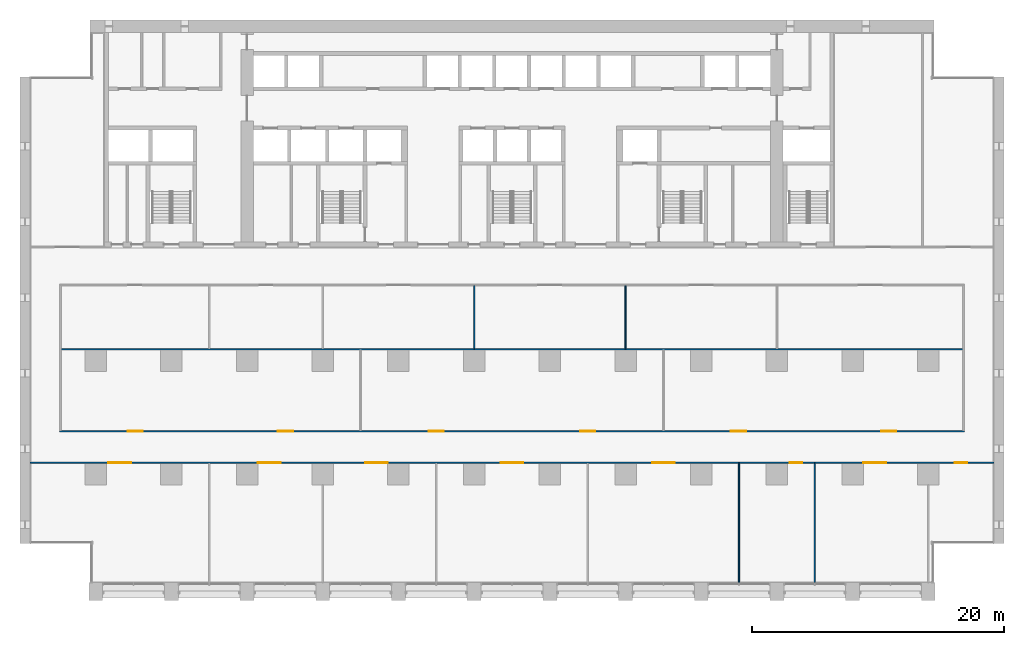
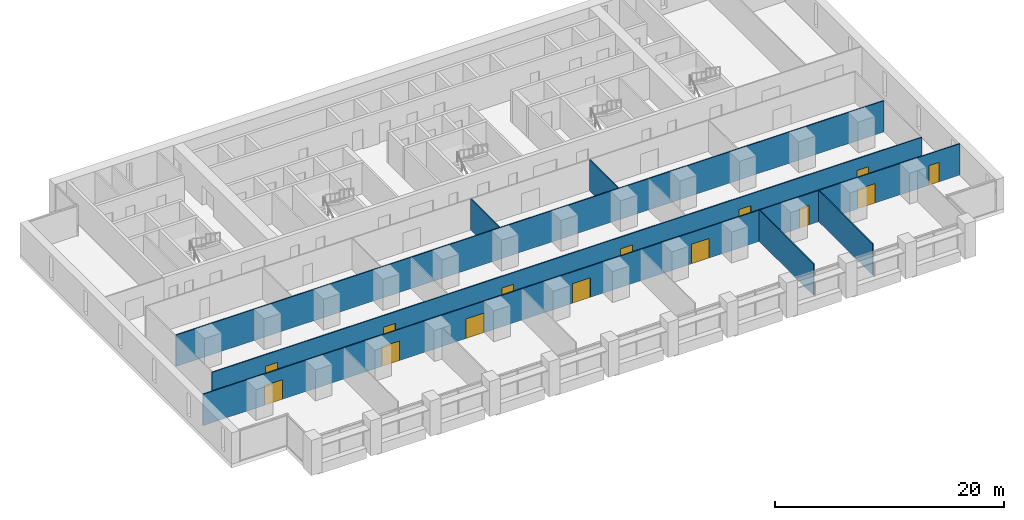
# One storey, part 9 of 18: 14 doors, 7 walls, 14 openings.
"""IFC4 building model written with IfcOpenShell, lengths in metres."""

from ifc_helpers import new_model, si_unit, direction, frame, frame_2d, origin, place, context, subcontext, project, spatial, rectangle, extrude, material, layer, layer_set, type_object, element, fill, save


model = new_model("IFC4")

# Units and contexts
model_context = context("Model", 3, precision=1e-05, world=origin(), true_north=direction((0.0, 1.0)))
body_context = subcontext(model_context, "Body", "Model", "MODEL_VIEW")
ifc_project = project(units=[si_unit("LENGTHUNIT", "METRE"), si_unit("AREAUNIT", "SQUARE_METRE"), si_unit("VOLUMEUNIT", "CUBIC_METRE"), si_unit("PLANEANGLEUNIT", "RADIAN"), si_unit("MASSUNIT", "GRAM", prefix="KILO")], contexts=[model_context])

# Site, building, storey
site_placement = place(None, origin())
site = spatial("IfcSite", under=ifc_project, at=site_placement, CompositionType="ELEMENT")
building_placement = place(site_placement, origin())
building = spatial("IfcBuilding", under=site, at=building_placement, Name="Calvaro Tower", CompositionType="ELEMENT")
storey_placement = place(building_placement, frame((0.0, 0.0, 48.75)))
storey = spatial("IfcBuildingStorey", under=building, at=storey_placement, Name="L11", CompositionType="ELEMENT", Elevation=48.75)

# Wall, openings, doors
ifc_material_1 = material(Name="Plasterboard on steel studs", Category="steel")
ifc_layer = layer(ifc_material_1, 0.10009765625)
ifc_layer_set = layer_set([ifc_layer], Name="Plasterboard on steel studs")
wall_type = type_object("IfcWallType", Name="Partition 100", PredefinedType="PARTITIONING", material=ifc_layer_set)
wall_1_placement = place(storey_placement, frame((0.800048828125, 10.89990234375, 0.0), z_axis=(0.0, 0.0, 1.0), x_axis=(1.0, 0.0, 0.0)))
wall_1 = element("IfcWall", 1, at=wall_1_placement, inside=storey, type_object=wall_type, Name="Partition T10.W001", PredefinedType="PARTITIONING", context=body_context, shape_type="SweptSolid", body=[
    extrude(rectangle(XDim=76.39990234375, YDim=0.10009765625, at=frame_2d((38.199951171875, 0.0))), origin(), (0.0, 0.0, 1.0), 3.35009765625),
])
opening_1_placement = place(wall_1_placement, frame((18.050048828125, 0.0, 0.0)))
opening_1 = element("IfcOpeningElement", 2, at=opening_1_placement, cuts=wall_1, Name="Opening T10.001", PredefinedType="OPENING", context=body_context, shape_type="SweptSolid", body=[
    extrude(rectangle(XDim=1.800048828125, YDim=2.10009765625, at=frame_2d((0.89990234375, 1.050048828125))), frame((0.0, 0.06005859375, 0.0), z_axis=(0.0, -1.0, 0.0), x_axis=(1.0, 0.0, 0.0)), (0.0, 0.0, 1.0), 0.1201171875),
])
opening_2_placement = place(wall_1_placement, frame((26.550048828125, 0.0, 0.0)))
opening_2 = element("IfcOpeningElement", 3, at=opening_2_placement, cuts=wall_1, Name="Opening T10.002", PredefinedType="OPENING", context=body_context, shape_type="SweptSolid", body=[
    extrude(rectangle(XDim=1.800048828125, YDim=2.10009765625, at=frame_2d((0.89990234375, 1.050048828125))), frame((0.0, 0.06005859375, 0.0), z_axis=(0.0, -1.0, 0.0), x_axis=(1.0, 0.0, 0.0)), (0.0, 0.0, 1.0), 0.1201171875),
])
opening_3_placement = place(wall_1_placement, frame((66.050048828125, 0.0, 0.0)))
opening_3 = element("IfcOpeningElement", 4, at=opening_3_placement, cuts=wall_1, Name="Opening T10.003", PredefinedType="OPENING", context=body_context, shape_type="SweptSolid", body=[
    extrude(rectangle(XDim=1.800048828125, YDim=2.10009765625, at=frame_2d((0.89990234375, 1.050048828125))), frame((0.0, 0.06005859375, 0.0), z_axis=(0.0, -1.0, 0.0), x_axis=(1.0, 0.0, 0.0)), (0.0, 0.0, 1.0), 0.1201171875),
])
opening_4_placement = place(wall_1_placement, frame((37.300048828125, 0.0, 0.0)))
opening_4 = element("IfcOpeningElement", 5, at=opening_4_placement, cuts=wall_1, Name="Opening T10.004", PredefinedType="OPENING", context=body_context, shape_type="SweptSolid", body=[
    extrude(rectangle(XDim=1.800048828125, YDim=2.10009765625, at=frame_2d((0.89990234375, 1.050048828125))), frame((0.0, 0.06005859375, 0.0), z_axis=(0.0, -1.0, 0.0), x_axis=(1.0, 0.0, 0.0)), (0.0, 0.0, 1.0), 0.1201171875),
])
opening_5_placement = place(wall_1_placement, frame((49.300048828125, 0.0, 0.0)))
opening_5 = element("IfcOpeningElement", 6, at=opening_5_placement, cuts=wall_1, Name="Opening T10.005", PredefinedType="OPENING", context=body_context, shape_type="SweptSolid", body=[
    extrude(rectangle(XDim=1.800048828125, YDim=2.10009765625, at=frame_2d((0.89990234375, 1.050048828125))), frame((0.0, 0.06005859375, 0.0), z_axis=(0.0, -1.0, 0.0), x_axis=(1.0, 0.0, 0.0)), (0.0, 0.0, 1.0), 0.1201171875),
])
opening_6_placement = place(wall_1_placement, frame((60.199951171875, 0.0, 0.0)))
opening_6 = element("IfcOpeningElement", 7, at=opening_6_placement, cuts=wall_1, Name="Opening T10.006", PredefinedType="OPENING", context=body_context, shape_type="SweptSolid", body=[
    extrude(rectangle(XDim=1.0, YDim=2.10009765625, at=frame_2d((0.5, 1.050048828125))), frame((0.0, 0.06005859375, 0.0), z_axis=(0.0, -1.0, 0.0), x_axis=(1.0, 0.0, 0.0)), (0.0, 0.0, 1.0), 0.1201171875),
])
opening_7_placement = place(wall_1_placement, frame((6.199951171875, 0.0, 0.0)))
opening_7 = element("IfcOpeningElement", 8, at=opening_7_placement, cuts=wall_1, Name="Opening T10.007", PredefinedType="OPENING", context=body_context, shape_type="SweptSolid", body=[
    extrude(rectangle(XDim=1.800048828125, YDim=2.10009765625, at=frame_2d((0.89990234375, 1.050048828125))), frame((0.0, 0.06005859375, 0.0), z_axis=(0.0, -1.0, 0.0), x_axis=(1.0, 0.0, 0.0)), (0.0, 0.0, 1.0), 0.1201171875),
])
opening_8_placement = place(wall_1_placement, frame((73.300048828125, 0.0, 0.0)))
opening_8 = element("IfcOpeningElement", 9, at=opening_8_placement, cuts=wall_1, Name="Opening T10.008", PredefinedType="OPENING", context=body_context, shape_type="SweptSolid", body=[
    extrude(rectangle(XDim=1.0, YDim=2.10009765625, at=frame_2d((0.5, 1.050048828125))), frame((0.0, 0.06005859375, 0.0), z_axis=(0.0, -1.0, 0.0), x_axis=(1.0, 0.0, 0.0)), (0.0, 0.0, 1.0), 0.1201171875),
])
ifc_material_2 = material(Name="Timber", Category="wood")
door_type_1 = type_object("IfcDoorType", Name="Internal double door 1800 x 2100", OperationType="DOUBLE_DOOR_SINGLE_SWING", PredefinedType="DOOR", material=ifc_material_2)
door_1_placement = place(opening_1_placement, origin())
door_1 = element("IfcDoor", 10, at=door_1_placement, inside=storey, type_object=door_type_1, Name="Door T10.001", OperationType="DOUBLE_DOOR_SINGLE_SWING", OverallHeight=2.10009765625, OverallWidth=1.800048828125, PredefinedType="DOOR", context=body_context, shape_type="SweptSolid", body=[
    extrude(rectangle(XDim=1.800048828125, YDim=2.10009765625, at=frame_2d((0.89990234375, 1.050048828125))), frame((0.0, 0.02490234375, 0.0), z_axis=(0.0, -1.0, 0.0), x_axis=(1.0, 0.0, 0.0)), (0.0, 0.0, 1.0), 0.050048828125),
])
fill(opening_1, door_1)
door_2_placement = place(opening_2_placement, origin())
door_2 = element("IfcDoor", 11, at=door_2_placement, inside=storey, type_object=door_type_1, Name="Door T10.002", OperationType="DOUBLE_DOOR_SINGLE_SWING", OverallHeight=2.10009765625, OverallWidth=1.800048828125, PredefinedType="DOOR", context=body_context, shape_type="SweptSolid", body=[
    extrude(rectangle(XDim=1.800048828125, YDim=2.10009765625, at=frame_2d((0.89990234375, 1.050048828125))), frame((0.0, 0.02490234375, 0.0), z_axis=(0.0, -1.0, 0.0), x_axis=(1.0, 0.0, 0.0)), (0.0, 0.0, 1.0), 0.050048828125),
])
fill(opening_2, door_2)
door_3_placement = place(opening_3_placement, origin())
door_3 = element("IfcDoor", 12, at=door_3_placement, inside=storey, type_object=door_type_1, Name="Door T10.003", OperationType="DOUBLE_DOOR_SINGLE_SWING", OverallHeight=2.10009765625, OverallWidth=1.800048828125, PredefinedType="DOOR", context=body_context, shape_type="SweptSolid", body=[
    extrude(rectangle(XDim=1.800048828125, YDim=2.10009765625, at=frame_2d((0.89990234375, 1.050048828125))), frame((0.0, 0.02490234375, 0.0), z_axis=(0.0, -1.0, 0.0), x_axis=(1.0, 0.0, 0.0)), (0.0, 0.0, 1.0), 0.050048828125),
])
fill(opening_3, door_3)
door_4_placement = place(opening_4_placement, origin())
door_4 = element("IfcDoor", 13, at=door_4_placement, inside=storey, type_object=door_type_1, Name="Door T10.004", OperationType="DOUBLE_DOOR_SINGLE_SWING", OverallHeight=2.10009765625, OverallWidth=1.800048828125, PredefinedType="DOOR", context=body_context, shape_type="SweptSolid", body=[
    extrude(rectangle(XDim=1.800048828125, YDim=2.10009765625, at=frame_2d((0.89990234375, 1.050048828125))), frame((0.0, 0.02490234375, 0.0), z_axis=(0.0, -1.0, 0.0), x_axis=(1.0, 0.0, 0.0)), (0.0, 0.0, 1.0), 0.050048828125),
])
fill(opening_4, door_4)
door_5_placement = place(opening_5_placement, origin())
door_5 = element("IfcDoor", 14, at=door_5_placement, inside=storey, type_object=door_type_1, Name="Door T10.005", OperationType="DOUBLE_DOOR_SINGLE_SWING", OverallHeight=2.10009765625, OverallWidth=1.800048828125, PredefinedType="DOOR", context=body_context, shape_type="SweptSolid", body=[
    extrude(rectangle(XDim=1.800048828125, YDim=2.10009765625, at=frame_2d((0.89990234375, 1.050048828125))), frame((0.0, 0.02490234375, 0.0), z_axis=(0.0, -1.0, 0.0), x_axis=(1.0, 0.0, 0.0)), (0.0, 0.0, 1.0), 0.050048828125),
])
fill(opening_5, door_5)
door_6_placement = place(opening_7_placement, origin())
door_6 = element("IfcDoor", 15, at=door_6_placement, inside=storey, type_object=door_type_1, Name="Door T10.007", OperationType="DOUBLE_DOOR_SINGLE_SWING", OverallHeight=2.10009765625, OverallWidth=1.800048828125, PredefinedType="DOOR", context=body_context, shape_type="SweptSolid", body=[
    extrude(rectangle(XDim=1.800048828125, YDim=2.10009765625, at=frame_2d((0.89990234375, 1.050048828125))), frame((0.0, 0.02490234375, 0.0), z_axis=(0.0, -1.0, 0.0), x_axis=(1.0, 0.0, 0.0)), (0.0, 0.0, 1.0), 0.050048828125),
])
fill(opening_7, door_6)
ifc_material_3 = material(Name="Timber", Category="wood")
door_type_2 = type_object("IfcDoorType", Name="Internal single door 1000 x 2100", OperationType="SINGLE_SWING_LEFT", PredefinedType="DOOR", material=ifc_material_3)
door_7_placement = place(opening_6_placement, origin())
door_7 = element("IfcDoor", 16, at=door_7_placement, inside=storey, type_object=door_type_2, Name="Door T10.006", OperationType="SINGLE_SWING_RIGHT", OverallHeight=2.10009765625, OverallWidth=1.0, PredefinedType="DOOR", context=body_context, shape_type="SweptSolid", body=[
    extrude(rectangle(XDim=1.0, YDim=2.10009765625, at=frame_2d((0.5, 1.050048828125))), frame((0.0, 0.02490234375, 0.0), z_axis=(0.0, -1.0, 0.0), x_axis=(1.0, 0.0, 0.0)), (0.0, 0.0, 1.0), 0.050048828125),
])
fill(opening_6, door_7)
door_8_placement = place(opening_8_placement, origin())
door_8 = element("IfcDoor", 17, at=door_8_placement, inside=storey, type_object=door_type_2, Name="Door T10.008", OperationType="SINGLE_SWING_RIGHT", OverallHeight=2.10009765625, OverallWidth=1.0, PredefinedType="DOOR", context=body_context, shape_type="SweptSolid", body=[
    extrude(rectangle(XDim=1.0, YDim=2.10009765625, at=frame_2d((0.5, 1.050048828125))), frame((0.0, 0.02490234375, 0.0), z_axis=(0.0, -1.0, 0.0), x_axis=(1.0, 0.0, 0.0)), (0.0, 0.0, 1.0), 0.050048828125),
])
fill(opening_8, door_8)

wall_2_placement = place(storey_placement, frame((3.14990234375, 13.39990234375, 0.0), z_axis=(0.0, 0.0, 1.0), x_axis=(1.0, 0.0, 0.0)))
wall_2 = element("IfcWall", 18, at=wall_2_placement, inside=storey, type_object=wall_type, Name="Partition T10.W002", PredefinedType="PARTITIONING", context=body_context, shape_type="SweptSolid", body=[
    extrude(rectangle(XDim=71.7001953125, YDim=0.10009765625, at=frame_2d((35.85009765625, 0.0))), origin(), (0.0, 0.0, 1.0), 3.35009765625),
])
opening_9_placement = place(wall_2_placement, frame((5.39990234375, 0.0, 0.0)))
opening_9 = element("IfcOpeningElement", 19, at=opening_9_placement, cuts=wall_2, Name="Opening T10.009", PredefinedType="OPENING", context=body_context, shape_type="SweptSolid", body=[
    extrude(rectangle(XDim=1.199951171875, YDim=2.10009765625, at=frame_2d((0.60009765625, 1.050048828125))), frame((0.0, 0.06005859375, 0.0), z_axis=(0.0, -1.0, 0.0), x_axis=(1.0, 0.0, 0.0)), (0.0, 0.0, 1.0), 0.1201171875),
])
opening_10_placement = place(wall_2_placement, frame((17.300048828125, 0.0, 0.0)))
opening_10 = element("IfcOpeningElement", 20, at=opening_10_placement, cuts=wall_2, Name="Opening T10.010", PredefinedType="OPENING", context=body_context, shape_type="SweptSolid", body=[
    extrude(rectangle(XDim=1.199951171875, YDim=2.10009765625, at=frame_2d((0.60009765625, 1.050048828125))), frame((0.0, 0.06005859375, 0.0), z_axis=(0.0, -1.0, 0.0), x_axis=(1.0, 0.0, 0.0)), (0.0, 0.0, 1.0), 0.1201171875),
])
opening_11_placement = place(wall_2_placement, frame((53.199951171875, 0.0, 0.0)))
opening_11 = element("IfcOpeningElement", 21, at=opening_11_placement, cuts=wall_2, Name="Opening T10.011", PredefinedType="OPENING", context=body_context, shape_type="SweptSolid", body=[
    extrude(rectangle(XDim=1.199951171875, YDim=2.10009765625, at=frame_2d((0.60009765625, 1.050048828125))), frame((0.0, 0.06005859375, 0.0), z_axis=(0.0, -1.0, 0.0), x_axis=(1.0, 0.0, 0.0)), (0.0, 0.0, 1.0), 0.1201171875),
])
opening_12_placement = place(wall_2_placement, frame((65.10009765625, 0.0, 0.0)))
opening_12 = element("IfcOpeningElement", 22, at=opening_12_placement, cuts=wall_2, Name="Opening T10.012", PredefinedType="OPENING", context=body_context, shape_type="SweptSolid", body=[
    extrude(rectangle(XDim=1.199951171875, YDim=2.10009765625, at=frame_2d((0.60009765625, 1.050048828125))), frame((0.0, 0.06005859375, 0.0), z_axis=(0.0, -1.0, 0.0), x_axis=(1.0, 0.0, 0.0)), (0.0, 0.0, 1.0), 0.1201171875),
])
opening_13_placement = place(wall_2_placement, frame((29.25, 0.0, 0.0)))
opening_13 = element("IfcOpeningElement", 23, at=opening_13_placement, cuts=wall_2, Name="Opening T10.013", PredefinedType="OPENING", context=body_context, shape_type="SweptSolid", body=[
    extrude(rectangle(XDim=1.199951171875, YDim=2.10009765625, at=frame_2d((0.60009765625, 1.050048828125))), frame((0.0, 0.06005859375, 0.0), z_axis=(0.0, -1.0, 0.0), x_axis=(1.0, 0.0, 0.0)), (0.0, 0.0, 1.0), 0.1201171875),
])
opening_14_placement = place(wall_2_placement, frame((41.25, 0.0, 0.0)))
opening_14 = element("IfcOpeningElement", 24, at=opening_14_placement, cuts=wall_2, Name="Opening T10.014", PredefinedType="OPENING", context=body_context, shape_type="SweptSolid", body=[
    extrude(rectangle(XDim=1.199951171875, YDim=2.10009765625, at=frame_2d((0.60009765625, 1.050048828125))), frame((0.0, 0.06005859375, 0.0), z_axis=(0.0, -1.0, 0.0), x_axis=(1.0, 0.0, 0.0)), (0.0, 0.0, 1.0), 0.1201171875),
])
ifc_material_4 = material(Name="Timber", Category="wood")
door_type_3 = type_object("IfcDoorType", Name="Internal single door 1200 x 2100", OperationType="SINGLE_SWING_LEFT", PredefinedType="DOOR", material=ifc_material_4)
door_9_placement = place(opening_9_placement, origin())
door_9 = element("IfcDoor", 25, at=door_9_placement, inside=storey, type_object=door_type_3, Name="Door T10.009", OperationType="SINGLE_SWING_LEFT", OverallHeight=2.10009765625, OverallWidth=1.199951171875, PredefinedType="DOOR", context=body_context, shape_type="SweptSolid", body=[
    extrude(rectangle(XDim=1.199951171875, YDim=2.10009765625, at=frame_2d((0.60009765625, 1.050048828125))), frame((0.0, 0.02490234375, 0.0), z_axis=(0.0, -1.0, 0.0), x_axis=(1.0, 0.0, 0.0)), (0.0, 0.0, 1.0), 0.050048828125),
])
fill(opening_9, door_9)
door_10_placement = place(opening_10_placement, origin())
door_10 = element("IfcDoor", 26, at=door_10_placement, inside=storey, type_object=door_type_3, Name="Door T10.010", OperationType="SINGLE_SWING_LEFT", OverallHeight=2.10009765625, OverallWidth=1.199951171875, PredefinedType="DOOR", context=body_context, shape_type="SweptSolid", body=[
    extrude(rectangle(XDim=1.199951171875, YDim=2.10009765625, at=frame_2d((0.60009765625, 1.050048828125))), frame((0.0, 0.02490234375, 0.0), z_axis=(0.0, -1.0, 0.0), x_axis=(1.0, 0.0, 0.0)), (0.0, 0.0, 1.0), 0.050048828125),
])
fill(opening_10, door_10)
door_11_placement = place(opening_11_placement, origin())
door_11 = element("IfcDoor", 27, at=door_11_placement, inside=storey, type_object=door_type_3, Name="Door T10.011", OperationType="SINGLE_SWING_RIGHT", OverallHeight=2.10009765625, OverallWidth=1.199951171875, PredefinedType="DOOR", context=body_context, shape_type="SweptSolid", body=[
    extrude(rectangle(XDim=1.199951171875, YDim=2.10009765625, at=frame_2d((0.60009765625, 1.050048828125))), frame((0.0, 0.02490234375, 0.0), z_axis=(0.0, -1.0, 0.0), x_axis=(1.0, 0.0, 0.0)), (0.0, 0.0, 1.0), 0.050048828125),
])
fill(opening_11, door_11)
door_12_placement = place(opening_12_placement, origin())
door_12 = element("IfcDoor", 28, at=door_12_placement, inside=storey, type_object=door_type_3, Name="Door T10.012", OperationType="SINGLE_SWING_RIGHT", OverallHeight=2.10009765625, OverallWidth=1.199951171875, PredefinedType="DOOR", context=body_context, shape_type="SweptSolid", body=[
    extrude(rectangle(XDim=1.199951171875, YDim=2.10009765625, at=frame_2d((0.60009765625, 1.050048828125))), frame((0.0, 0.02490234375, 0.0), z_axis=(0.0, -1.0, 0.0), x_axis=(1.0, 0.0, 0.0)), (0.0, 0.0, 1.0), 0.050048828125),
])
fill(opening_12, door_12)
door_13_placement = place(opening_13_placement, origin())
door_13 = element("IfcDoor", 29, at=door_13_placement, inside=storey, type_object=door_type_3, Name="Door T10.013", OperationType="SINGLE_SWING_LEFT", OverallHeight=2.10009765625, OverallWidth=1.199951171875, PredefinedType="DOOR", context=body_context, shape_type="SweptSolid", body=[
    extrude(rectangle(XDim=1.199951171875, YDim=2.10009765625, at=frame_2d((0.60009765625, 1.050048828125))), frame((0.0, 0.02490234375, 0.0), z_axis=(0.0, -1.0, 0.0), x_axis=(1.0, 0.0, 0.0)), (0.0, 0.0, 1.0), 0.050048828125),
])
fill(opening_13, door_13)
door_14_placement = place(opening_14_placement, origin())
door_14 = element("IfcDoor", 30, at=door_14_placement, inside=storey, type_object=door_type_3, Name="Door T10.014", OperationType="SINGLE_SWING_RIGHT", OverallHeight=2.10009765625, OverallWidth=1.199951171875, PredefinedType="DOOR", context=body_context, shape_type="SweptSolid", body=[
    extrude(rectangle(XDim=1.199951171875, YDim=2.10009765625, at=frame_2d((0.60009765625, 1.050048828125))), frame((0.0, 0.02490234375, 0.0), z_axis=(0.0, -1.0, 0.0), x_axis=(1.0, 0.0, 0.0)), (0.0, 0.0, 1.0), 0.050048828125),
])
fill(opening_14, door_14)

# Walls
wall_3_placement = place(storey_placement, frame((3.25, 19.89990234375, 0.0), z_axis=(0.0, 0.0, 1.0), x_axis=(1.0, 0.0, 0.0)))
element("IfcWall", 31, at=wall_3_placement, inside=storey, type_object=wall_type, Name="Partition T10.W003", PredefinedType="PARTITIONING", context=body_context, shape_type="SweptSolid", body=[
    extrude(rectangle(XDim=71.5, YDim=0.10009765625, at=frame_2d((35.75, 0.0))), origin(), (0.0, 0.0, 1.0), 3.35009765625),
])
for number, where, z_axis, x_axis, name in (
    (32, (36.0, 19.949951171875, 0.0), (0.0, 0.0, 1.0), (0.0, 1.0, 0.0), "Partition T10.W014"),
    (33, (48.0, 19.949951171875, 0.0), (0.0, 0.0, 1.0), (0.0, 1.0, 0.0), "Partition T10.W016"),
):
    element("IfcWall", number, at=place(storey_placement, frame(where, z_axis=z_axis, x_axis=x_axis)), inside=storey, type_object=wall_type, Name=name, PredefinedType="PARTITIONING", context=body_context, shape_type="SweptSolid", body=[
        extrude(rectangle(XDim=5.0, YDim=0.10009765625, at=frame_2d((2.5, 0.0))), origin(), (0.0, 0.0, 1.0), 3.35009765625),
    ])
for number, where, z_axis, x_axis, name in (
    (34, (57.0, 1.39990234375, 0.0), (0.0, 0.0, 1.0), (0.0, 1.0, 0.0), "Partition T10.W018"),
    (35, (63.0, 1.39990234375, 0.0), (0.0, 0.0, 1.0), (0.0, 1.0, 0.0), "Partition T10.W020"),
):
    element("IfcWall", number, at=place(storey_placement, frame(where, z_axis=z_axis, x_axis=x_axis)), inside=storey, type_object=wall_type, Name=name, PredefinedType="PARTITIONING", context=body_context, shape_type="SweptSolid", body=[
        extrude(rectangle(XDim=9.4501953125, YDim=0.10009765625, at=frame_2d((4.72509765625, 0.0))), origin(), (0.0, 0.0, 1.0), 3.35009765625),
    ])

save(model, "model.ifc")
